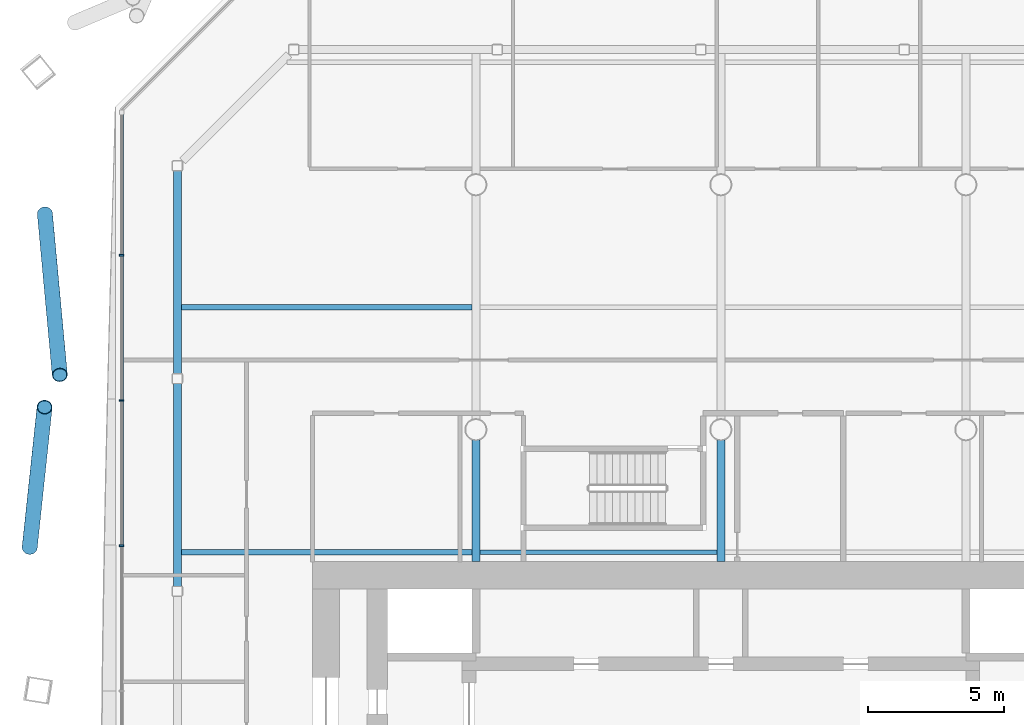
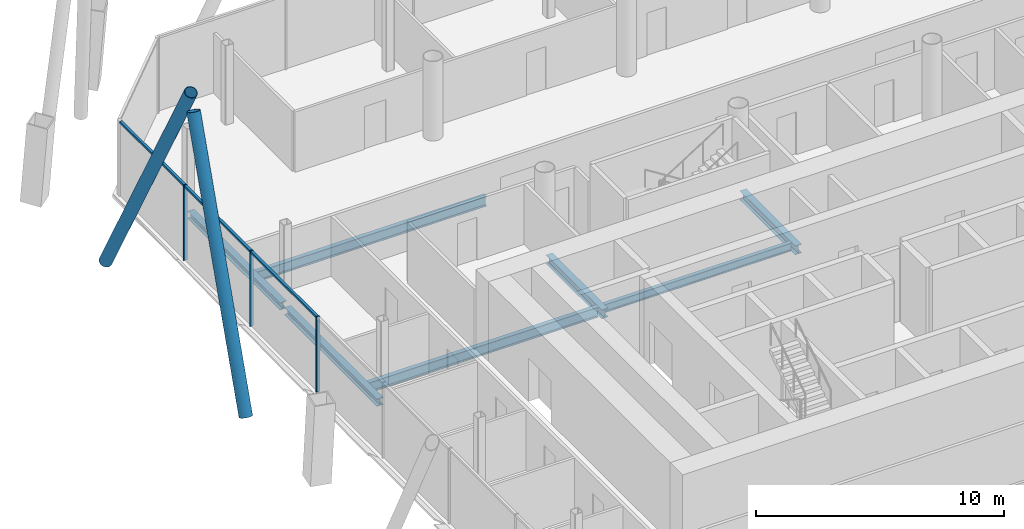
# One storey, part 8 of 22: 8 members, 7 beams, 1 element without a shape of its own.
"""IFC4 building model written with IfcOpenShell, lengths in metres."""

from ifc_helpers import new_model, si_unit, direction, frame, origin, origin_2d, place, context, subcontext, project, spatial, rectangle, hollow_circle, i_section, extrude, material, material_profile, profile_set, type_object, element, aggregate, save


model = new_model("IFC4")

# Units and contexts
model_context = context("Model", 3, precision=1e-05, world=origin(), true_north=direction((0.0, 1.0)))
body_context = subcontext(model_context, "Body", "Model", "MODEL_VIEW")
ifc_project = project(units=[si_unit("LENGTHUNIT", "METRE"), si_unit("AREAUNIT", "SQUARE_METRE"), si_unit("VOLUMEUNIT", "CUBIC_METRE"), si_unit("PLANEANGLEUNIT", "RADIAN"), si_unit("MASSUNIT", "GRAM", prefix="KILO")], contexts=[model_context])

# Site, building, storey
site_placement = place(None, origin())
site = spatial("IfcSite", under=ifc_project, at=site_placement, CompositionType="ELEMENT")
building_placement = place(site_placement, origin())
building = spatial("IfcBuilding", under=site, at=building_placement, Name="Tskaro Facet Tower", CompositionType="ELEMENT")
storey_placement = place(building_placement, frame((0.0, 0.0, 73.800048828125)))
storey = spatial("IfcBuildingStorey", under=building, at=storey_placement, Name="L17", CompositionType="ELEMENT", Elevation=73.800048828125)

# Members
ifc_material_1 = material(Name="Steel S355J2H", Category="steel")
ifc_material_profile_1 = material_profile(ifc_material_1, hollow_circle(Radius=0.279541015625, WallThickness=0.02490234375, at=origin_2d()), Name="CHS 559x25")
ifc_profile_set_1 = profile_set([ifc_material_profile_1], Name="Steel S355J2H")
member_type_1 = type_object("IfcMemberType", Name="CHS 559x25 brace", PredefinedType="BRACE", material=ifc_profile_set_1)
member_1_placement = place(storey_placement, frame((-24.83154296875, 16.93505859375, 0.0), z_axis=(0.041757457911, -0.451333949318, 0.891377574826), x_axis=(0.995747299253, 0.092126630407, 0.0)))
element("IfcMember", 1, at=member_1_placement, inside=storey, type_object=member_type_1, Name="CHS 559x25 XB10A/2", PredefinedType="BRACE", context=body_context, shape_type="SweptSolid", body=[
    extrude(hollow_circle(Radius=0.279541015625, WallThickness=0.02490234375, at=origin_2d()), origin(), (0.0, 0.0, 1.0), 13.125732421875),
])
member_2_placement = place(storey_placement, frame((-25.390380859375, 4.6767578125, 0.0), z_axis=(0.042811250871, 0.402814951381, 0.914279668232), x_axis=(-0.994399659751, 0.105684987993, 0.0)))
element("IfcMember", 2, at=member_2_placement, inside=storey, type_object=member_type_1, Name="CHS 559x25 XB10B/2", PredefinedType="BRACE", context=body_context, shape_type="SweptSolid", body=[
    extrude(hollow_circle(Radius=0.279541015625, WallThickness=0.02490234375, at=origin_2d()), origin(), (0.0, 0.0, 1.0), 12.796875),
])

# Curtain wall, members
ifc_material_2 = material(Name="Bronze anodised aluminium 6063-T6", Category="aluminium")
curtain_wall_type = type_object("IfcCurtainWallType", Name="Bronze office curtain wall (FW1)", PredefinedType="NOTDEFINED", material=ifc_material_2)
curtain_wall_placement = place(storey_placement, origin())
curtain_wall = element("IfcCurtainWall", 3, at=curtain_wall_placement, inside=storey, type_object=curtain_wall_type, Name="FW1 west facet L17", PredefinedType="NOTDEFINED")
ifc_material_profile_2 = material_profile(ifc_material_2, rectangle(XDim=0.06005859375, YDim=0.159912109375, at=origin_2d()), Name="Mullion 60x160")
ifc_profile_set_2 = profile_set([ifc_material_profile_2], Name="Bronze anodised aluminium 6063-T6")
member_type_2 = type_object("IfcMemberType", Name="FW1 bronze mullion 60x160", PredefinedType="MULLION", material=ifc_profile_set_2)
member_3_placement = place(storey_placement, frame((-22.010986328125, 15.40869140625, 0.0), z_axis=(0.0, 0.0, 1.0), x_axis=(0.0, -1.0, 0.0)))
member_3 = element("IfcMember", 4, at=member_3_placement, type_object=member_type_2, Name="FW1 west mullion 1", PredefinedType="MULLION", context=body_context, shape_type="SweptSolid", body=[
    extrude(rectangle(XDim=0.06005859375, YDim=0.159912109375, at=origin_2d()), origin(), (0.0, 0.0, 1.0), 3.699951171875),
])
member_4_placement = place(storey_placement, frame((-22.010986328125, 10.0732421875, 0.0), z_axis=(0.0, 0.0, 1.0), x_axis=(0.0, -1.0, 0.0)))
member_4 = element("IfcMember", 5, at=member_4_placement, type_object=member_type_2, Name="FW1 west mullion 2", PredefinedType="MULLION", context=body_context, shape_type="SweptSolid", body=[
    extrude(rectangle(XDim=0.06005859375, YDim=0.159912109375, at=origin_2d()), origin(), (0.0, 0.0, 1.0), 3.699951171875),
])
member_5_placement = place(storey_placement, frame((-22.010986328125, 4.73779296875, 0.0), z_axis=(0.0, 0.0, 1.0), x_axis=(0.0, -1.0, 0.0)))
member_5 = element("IfcMember", 6, at=member_5_placement, type_object=member_type_2, Name="FW1 west mullion 3", PredefinedType="MULLION", context=body_context, shape_type="SweptSolid", body=[
    extrude(rectangle(XDim=0.06005859375, YDim=0.159912109375, at=origin_2d()), origin(), (0.0, 0.0, 1.0), 3.699951171875),
])
ifc_material_profile_3 = material_profile(ifc_material_2, rectangle(XDim=0.1201171875, YDim=0.10009765625, at=origin_2d()), Name="Transom 120x100")
ifc_profile_set_3 = profile_set([ifc_material_profile_3], Name="Bronze anodised aluminium 6063-T6")
member_type_3 = type_object("IfcMemberType", Name="FW1 bronze transom 120x100", PredefinedType="USERDEFINED", material=ifc_profile_set_3)
member_6_placement = place(storey_placement, frame((-22.010986328125, 20.583984375, 3.64990234375), z_axis=(0.0, -1.0, 0.0), x_axis=(1.0, 0.0, 0.0)))
member_6 = element("IfcMember", 7, at=member_6_placement, type_object=member_type_3, Name="FW1 west transom 1.1", ObjectType="TRANSOM", PredefinedType="USERDEFINED", context=body_context, shape_type="SweptSolid", body=[
    extrude(rectangle(XDim=0.1201171875, YDim=0.10009765625, at=origin_2d()), origin(), (0.0, 0.0, 1.0), 5.145263671875),
])
member_7_placement = place(storey_placement, frame((-22.010986328125, 15.378662109375, 3.64990234375), z_axis=(0.0, -1.0, 0.0), x_axis=(1.0, 0.0, 0.0)))
member_7 = element("IfcMember", 8, at=member_7_placement, type_object=member_type_3, Name="FW1 west transom 2.1", ObjectType="TRANSOM", PredefinedType="USERDEFINED", context=body_context, shape_type="SweptSolid", body=[
    extrude(rectangle(XDim=0.1201171875, YDim=0.10009765625, at=origin_2d()), origin(), (0.0, 0.0, 1.0), 5.275390625),
])
member_8_placement = place(storey_placement, frame((-22.010986328125, 10.043212890625, 3.64990234375), z_axis=(0.0, -1.0, 0.0), x_axis=(1.0, 0.0, 0.0)))
member_8 = element("IfcMember", 9, at=member_8_placement, type_object=member_type_3, Name="FW1 west transom 3.1", ObjectType="TRANSOM", PredefinedType="USERDEFINED", context=body_context, shape_type="SweptSolid", body=[
    extrude(rectangle(XDim=0.1201171875, YDim=0.10009765625, at=origin_2d()), origin(), (0.0, 0.0, 1.0), 5.275390625),
])
aggregate(curtain_wall, [member_3, member_4, member_5, member_6, member_7, member_8])

# Beams
ifc_material_3 = material(Name="Steel S355J2", Category="steel")
ifc_material_profile_4 = material_profile(ifc_material_3, i_section(OverallWidth=0.300048828125, OverallDepth=0.360107421875, WebThickness=0.012451171875, FlangeThickness=0.0224609375, FilletRadius=0.027099609375, at=origin_2d()), Name="HE 360 B")
ifc_profile_set_4 = profile_set([ifc_material_profile_4], Name="Steel S355J2")
beam_type_1 = type_object("IfcBeamType", Name="HE 360 B ring beam", PredefinedType="BEAM", material=ifc_profile_set_4)
for number, where, z_axis, x_axis, name in (
    (10, (-19.965087890625, 18.510009765625, -0.320068359375), (0.0, -1.0, 0.0), (1.0, 0.0, 0.0), "HE 360 B EB19-2"),
    (11, (-19.965087890625, 10.698974609375, -0.320068359375), (0.0, -1.0, 0.0), (1.0, 0.0, 0.0), "HE 360 B EB20-2"),
):
    element("IfcBeam", number, at=place(storey_placement, frame(where, z_axis=z_axis, x_axis=x_axis)), inside=storey, type_object=beam_type_1, Name=name, PredefinedType="BEAM", context=body_context, shape_type="SweptSolid", body=[
        extrude(i_section(OverallWidth=0.300048828125, OverallDepth=0.360107421875, WebThickness=0.012451171875, FlangeThickness=0.0224609375, FilletRadius=0.027099609375, at=origin_2d()), origin(), (0.0, 0.0, 1.0), 7.450927734375),
    ])
ifc_material_profile_5 = material_profile(ifc_material_3, i_section(OverallWidth=0.300048828125, OverallDepth=0.43994140625, WebThickness=0.011474609375, FlangeThickness=0.02099609375, FilletRadius=0.027099609375, at=origin_2d()), Name="HE 450 A")
ifc_profile_set_5 = profile_set([ifc_material_profile_5], Name="Steel S355J2")
beam_type_2 = type_object("IfcBeamType", Name="HE 450 A girder", PredefinedType="BEAM", material=ifc_profile_set_5)
for number, where, z_axis, x_axis, name in (
    (12, (-9.0, 4.14990234375, -0.360107421875), (0.0, 1.0, 0.0), (-1.0, 0.0, 0.0), "HE 450 A GB3-3-2"),
    (13, (0.0, 4.14990234375, -0.360107421875), (0.0, 1.0, 0.0), (-1.0, 0.0, 0.0), "HE 450 A GB4-3-2"),
):
    element("IfcBeam", number, at=place(storey_placement, frame(where, z_axis=z_axis, x_axis=x_axis)), inside=storey, type_object=beam_type_2, Name=name, PredefinedType="BEAM", context=body_context, shape_type="SweptSolid", body=[
        extrude(i_section(OverallWidth=0.300048828125, OverallDepth=0.43994140625, WebThickness=0.011474609375, FlangeThickness=0.02099609375, FilletRadius=0.027099609375, at=origin_2d()), origin(), (0.0, 0.0, 1.0), 4.4736328125),
    ])
ifc_material_profile_6 = material_profile(ifc_material_3, i_section(OverallWidth=0.179931640625, OverallDepth=0.39990234375, WebThickness=0.008544921875, FlangeThickness=0.013427734375, FilletRadius=0.02099609375, at=origin_2d()), Name="IPE 400")
ifc_profile_set_6 = profile_set([ifc_material_profile_6], Name="Steel S355J2")
beam_type_3 = type_object("IfcBeamType", Name="IPE 400 secondary beam", PredefinedType="BEAM", material=ifc_profile_set_6)
beam_placement = place(storey_placement, frame((-8.85009765625, 4.5, -0.340087890625), z_axis=(1.0, 0.0, 0.0), x_axis=(0.0, 1.0, 0.0)))
element("IfcBeam", 14, at=beam_placement, inside=storey, type_object=beam_type_3, Name="IPE 400 SB4a-2-2", PredefinedType="BEAM", context=body_context, shape_type="SweptSolid", body=[
    extrude(i_section(OverallWidth=0.179931640625, OverallDepth=0.39990234375, WebThickness=0.008544921875, FlangeThickness=0.013427734375, FilletRadius=0.02099609375, at=origin_2d()), origin(), (0.0, 0.0, 1.0), 8.7001953125),
])
ifc_material_profile_7 = material_profile(ifc_material_3, i_section(OverallWidth=0.199951171875, OverallDepth=0.5, WebThickness=0.01025390625, FlangeThickness=0.01611328125, FilletRadius=0.02099609375, at=origin_2d()), Name="IPE 500")
ifc_profile_set_7 = profile_set([ifc_material_profile_7], Name="Steel S355J2")
beam_type_4 = type_object("IfcBeamType", Name="IPE 500 long secondary beam", PredefinedType="BEAM", material=ifc_profile_set_7)
for number, where, z_axis, x_axis, name in (
    (15, (-19.81494140625, 4.5, -0.39013671875), (1.0, 0.0, 0.0), (0.0, 1.0, 0.0), "IPE 500 LSB4a-1-2"),
    (16, (-19.81494140625, 13.5, -0.39013671875), (1.0, 0.0, 0.0), (0.0, 1.0, 0.0), "IPE 500 LSB5a-1-2"),
):
    element("IfcBeam", number, at=place(storey_placement, frame(where, z_axis=z_axis, x_axis=x_axis)), inside=storey, type_object=beam_type_4, Name=name, PredefinedType="BEAM", context=body_context, shape_type="SweptSolid", body=[
        extrude(i_section(OverallWidth=0.199951171875, OverallDepth=0.5, WebThickness=0.01025390625, FlangeThickness=0.01611328125, FilletRadius=0.02099609375, at=origin_2d()), origin(), (0.0, 0.0, 1.0), 10.6650390625),
    ])

save(model, "model.ifc")
